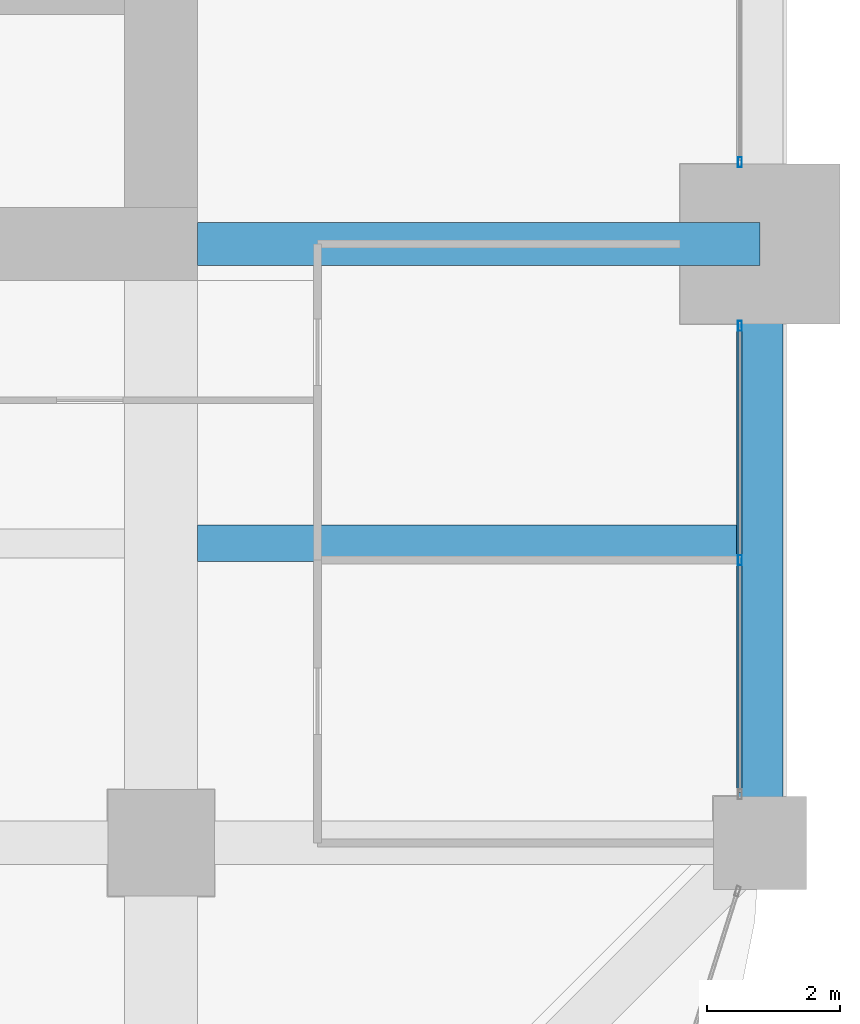
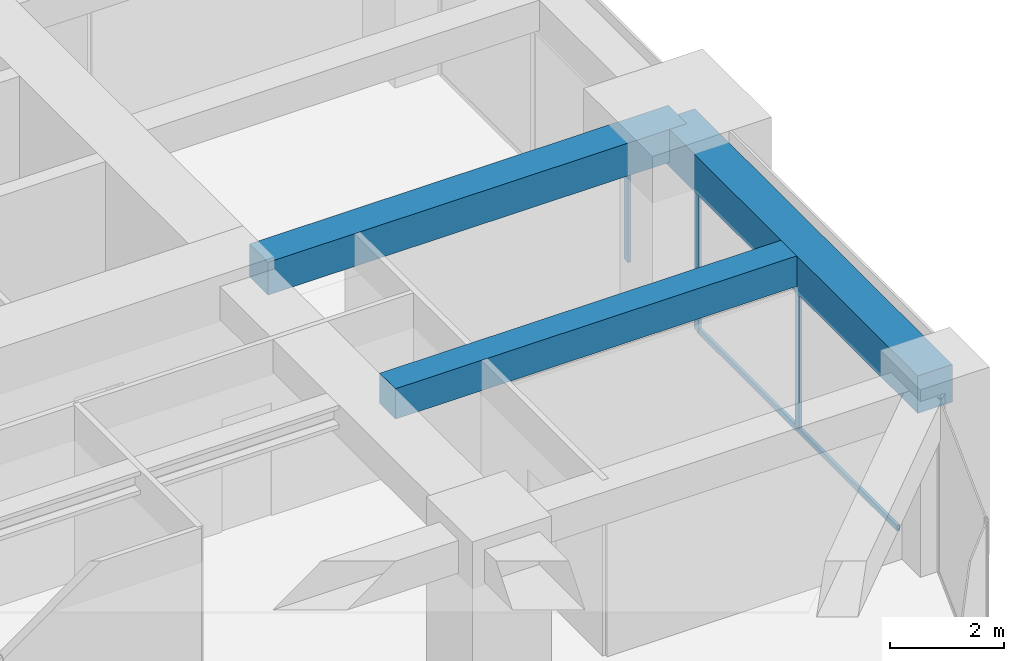
# One storey, part 17 of 33: 4 members, 3 beams, 2 elements without a shape of their own.
"""IFC4 building model written with IfcOpenShell, lengths in metres."""

from ifc_helpers import new_model, si_unit, direction, frame, origin, origin_2d, place, context, subcontext, project, spatial, rectangle, hollow_rectangle, extrude, material, material_profile, profile_set, type_object, element, aggregate, save


model = new_model("IFC4")

# Units and contexts
model_context = context("Model", 3, precision=1e-05, world=origin(), true_north=direction((0.0, 1.0)))
body_context = subcontext(model_context, "Body", "Model", "MODEL_VIEW")
ifc_project = project(units=[si_unit("LENGTHUNIT", "METRE"), si_unit("AREAUNIT", "SQUARE_METRE"), si_unit("VOLUMEUNIT", "CUBIC_METRE"), si_unit("PLANEANGLEUNIT", "RADIAN"), si_unit("MASSUNIT", "GRAM", prefix="KILO")], contexts=[model_context])

# Site, building, storey
site_placement = place(None, origin())
site = spatial("IfcSite", under=ifc_project, at=site_placement, CompositionType="ELEMENT")
building_placement = place(site_placement, origin())
building = spatial("IfcBuilding", under=site, at=building_placement, Name="Zorevar Civic Tower", CompositionType="ELEMENT")
storey_placement = place(building_placement, frame((0.0, 0.0, 194.199951171875)))
storey = spatial("IfcBuildingStorey", under=building, at=storey_placement, Name="L47", CompositionType="ELEMENT", Elevation=194.199951171875)

# Beams
ifc_material_1 = material(Name="Concrete C50/60", Category="concrete")
ifc_material_profile_1 = material_profile(ifc_material_1, rectangle(XDim=0.550048828125, YDim=0.64990234375, at=origin_2d()), Name="RC 550x650")
ifc_profile_set_1 = profile_set([ifc_material_profile_1], Name="Concrete C50/60")
beam_type_1 = type_object("IfcBeamType", Name="Beam RC 550x650", PredefinedType="BEAM", material=ifc_profile_set_1)
beam_1_placement = place(storey_placement, frame((45.550048828125, 13.5, 3.425048828125), z_axis=(1.0, 0.0, 0.0), x_axis=(0.0, 1.0, 0.0)))
element("IfcBeam", 1, at=beam_1_placement, inside=storey, type_object=beam_type_1, Name="Secondary beam L48", PredefinedType="BEAM", context=body_context, shape_type="SweptSolid", body=[
    extrude(rectangle(XDim=0.550048828125, YDim=0.64990234375, at=origin_2d()), origin(), (0.0, 0.0, 1.0), 8.099853515625),
])
ifc_material_2 = material(Name="Concrete C50/60", Category="concrete")
ifc_material_profile_2 = material_profile(ifc_material_2, rectangle(XDim=0.64990234375, YDim=0.699951171875, at=origin_2d()), Name="RC 650x700")
ifc_profile_set_2 = profile_set([ifc_material_profile_2], Name="Concrete C50/60")
beam_type_2 = type_object("IfcBeamType", Name="Beam RC 650x700", PredefinedType="BEAM", material=ifc_profile_set_2)
beam_2_placement = place(storey_placement, frame((45.550048828125, 18.0, 3.400146484375), z_axis=(1.0, 0.0, 0.0), x_axis=(0.0, 1.0, 0.0)))
element("IfcBeam", 2, at=beam_2_placement, inside=storey, type_object=beam_type_2, Name="Girder L48", PredefinedType="BEAM", context=body_context, shape_type="SweptSolid", body=[
    extrude(rectangle(XDim=0.64990234375, YDim=0.699951171875, at=origin_2d()), origin(), (0.0, 0.0, 1.0), 8.449951171875),
])

# Curtain wall, members
ifc_material_3 = material(Name="Dark grey solar-control glass in black aluminium frame", Category="aluminium")
curtain_wall_type = type_object("IfcCurtainWallType", Name="Curtain wall CW4 high zone", PredefinedType="NOTDEFINED", material=ifc_material_3)
curtain_wall_1_placement = place(storey_placement, origin())
curtain_wall_1 = element("IfcCurtainWall", 3, at=curtain_wall_1_placement, inside=storey, type_object=curtain_wall_type, Name="CW4 L47", PredefinedType="NOTDEFINED")
ifc_material_4 = material(Name="Aluminium, black anodised", Category="aluminium")
ifc_material_profile_3 = material_profile(ifc_material_4, hollow_rectangle(XDim=0.06005859375, YDim=0.14990234375, WallThickness=0.00390625, at=origin_2d()), Name="AL 150x60x4")
ifc_profile_set_3 = profile_set([ifc_material_profile_3], Name="Aluminium, black anodised")
member_type_1 = type_object("IfcMemberType", Name="CW4 mullion AL 150x60x4", PredefinedType="MULLION", material=ifc_profile_set_3)
member_1_placement = place(storey_placement, frame((53.699951171875, 13.25, 0.06005859375), z_axis=(0.0, 0.0, 1.0), x_axis=(-1.0, 0.0, 0.0)))
member_1 = element("IfcMember", 4, at=member_1_placement, type_object=member_type_1, Name="CW4 mullion 2", PredefinedType="MULLION", context=body_context, shape_type="SweptSolid", body=[
    extrude(hollow_rectangle(XDim=0.06005859375, YDim=0.14990234375, WallThickness=0.00390625, at=origin_2d()), origin(), (0.0, 0.0, 1.0), 2.889892578125),
])
member_2_placement = place(storey_placement, frame((53.699951171875, 16.77001953125, 0.0), z_axis=(0.0, 0.0, 1.0), x_axis=(-1.0, 0.0, 0.0)))
member_2 = element("IfcMember", 5, at=member_2_placement, type_object=member_type_1, Name="CW4 mullion 3", PredefinedType="MULLION", context=body_context, shape_type="SweptSolid", body=[
    extrude(hollow_rectangle(XDim=0.06005859375, YDim=0.14990234375, WallThickness=0.00390625, at=origin_2d()), origin(), (0.0, 0.0, 1.0), 2.949951171875),
])

# Curtain wall, member
curtain_wall_2_placement = place(storey_placement, origin())
curtain_wall_2 = element("IfcCurtainWall", 6, at=curtain_wall_2_placement, inside=storey, type_object=curtain_wall_type, Name="CW4 L47", PredefinedType="NOTDEFINED")
member_3_placement = place(storey_placement, frame((53.699951171875, 19.22998046875, 0.0), z_axis=(0.0, 0.0, 1.0), x_axis=(-1.0, 0.0, 0.0)))
member_3 = element("IfcMember", 7, at=member_3_placement, type_object=member_type_1, Name="CW4 mullion 1", PredefinedType="MULLION", context=body_context, shape_type="SweptSolid", body=[
    extrude(hollow_rectangle(XDim=0.06005859375, YDim=0.14990234375, WallThickness=0.00390625, at=origin_2d()), origin(), (0.0, 0.0, 1.0), 2.949951171875),
])
aggregate(curtain_wall_2, [member_3])

# Member
ifc_material_5 = material(Name="Aluminium, black anodised", Category="aluminium")
ifc_material_profile_4 = material_profile(ifc_material_5, hollow_rectangle(XDim=0.06005859375, YDim=0.1201171875, WallThickness=0.0029296875, at=origin_2d()), Name="AL 120x60x3")
ifc_profile_set_4 = profile_set([ifc_material_profile_4], Name="Aluminium, black anodised")
member_type_2 = type_object("IfcMemberType", Name="CW4 transom AL 120x60x3", PredefinedType="USERDEFINED", material=ifc_profile_set_4)
member_4_placement = place(storey_placement, frame((53.699951171875, 9.760009765625, 0.030029296875), z_axis=(0.0, 1.0, 0.0), x_axis=(-1.0, 0.0, 0.0)))
member_4 = element("IfcMember", 8, at=member_4_placement, type_object=member_type_2, Name="CW4 sill transom", ObjectType="TRANSOM", PredefinedType="USERDEFINED", context=body_context, shape_type="SweptSolid", body=[
    extrude(hollow_rectangle(XDim=0.06005859375, YDim=0.1201171875, WallThickness=0.0029296875, at=origin_2d()), origin(), (0.0, 0.0, 1.0), 6.97998046875),
])

aggregate(curtain_wall_1, [member_1, member_2, member_4])

# Beam
ifc_material_6 = material(Name="Concrete C50/60", Category="concrete")
ifc_material_profile_5 = material_profile(ifc_material_6, rectangle(XDim=0.699951171875, YDim=0.800048828125, at=origin_2d()), Name="RC 700x800")
ifc_profile_set_5 = profile_set([ifc_material_profile_5], Name="Concrete C50/60")
beam_type_3 = type_object("IfcBeamType", Name="Edge beam RC 700x800", PredefinedType="SPANDREL", material=ifc_profile_set_5)
beam_3_placement = place(storey_placement, frame((54.0, 9.0, 3.35009765625), z_axis=(0.0, 1.0, 0.0), x_axis=(-1.0, 0.0, 0.0)))
element("IfcBeam", 9, at=beam_3_placement, inside=storey, type_object=beam_type_3, Name="Edge beam L48", PredefinedType="SPANDREL", context=body_context, shape_type="SweptSolid", body=[
    extrude(rectangle(XDim=0.699951171875, YDim=0.800048828125, at=origin_2d()), origin(), (0.0, 0.0, 1.0), 9.0),
])

save(model, "model.ifc")
